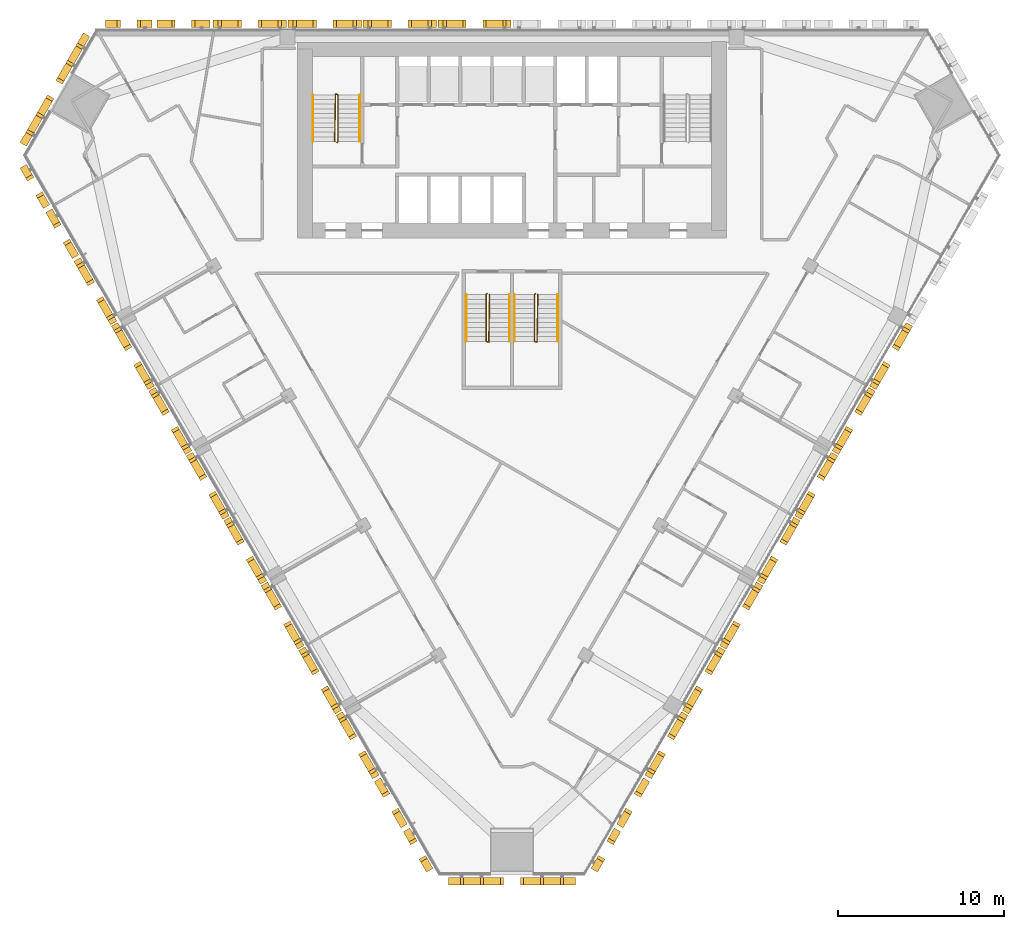
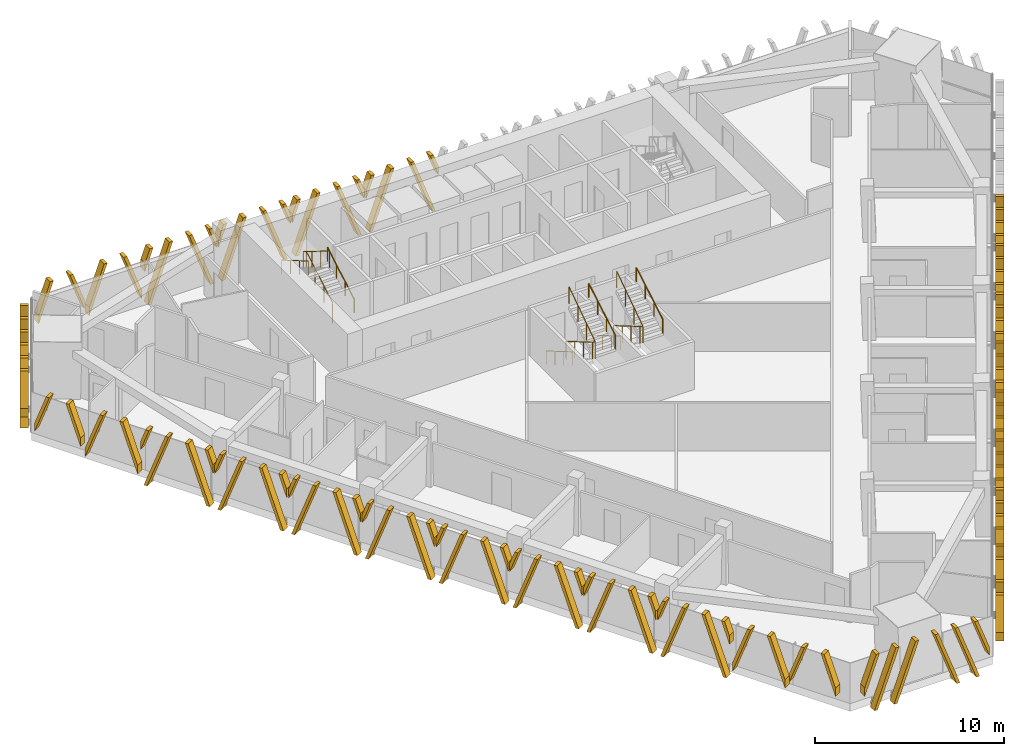
# One storey, part 14 of 16: 29 shading devices, 9 railings.
"""IFC4 building model written with IfcOpenShell, lengths in metres."""

from ifc_helpers import new_model, si_unit, direction, frame, origin, origin_2d, place, context, subcontext, project, spatial, polyline, circle, outline, extrude, source, transform, mapped, material, type_object, element, save


model = new_model("IFC4")

# Units and contexts
model_context = context("Model", 3, precision=1e-05, world=origin(), true_north=direction((0.0, 1.0)))
body_context = subcontext(model_context, "Body", "Model", "MODEL_VIEW")
ifc_project = project(units=[si_unit("LENGTHUNIT", "METRE"), si_unit("AREAUNIT", "SQUARE_METRE"), si_unit("VOLUMEUNIT", "CUBIC_METRE"), si_unit("PLANEANGLEUNIT", "RADIAN"), si_unit("MASSUNIT", "GRAM", prefix="KILO")], contexts=[model_context])

# Site, building, storey
site_placement = place(None, origin())
site = spatial("IfcSite", under=ifc_project, at=site_placement, CompositionType="ELEMENT")
building_placement = place(site_placement, origin())
building = spatial("IfcBuilding", under=site, at=building_placement, Name="Altiplano Prism Tower", CompositionType="ELEMENT")
storey_placement = place(building_placement, frame((0.0, 0.0, 88.199951171875)))
storey = spatial("IfcBuildingStorey", under=building, at=storey_placement, Name="L22", CompositionType="ELEMENT", Elevation=88.199951171875)

# Railings
ifc_material_1 = material(Name="Steel S355", Category="steel")
railing_type_1 = type_object("IfcRailingType", Name="Stair guard 1100", PredefinedType="GUARDRAIL", material=ifc_material_1)
railing_1_placement = place(storey_placement, frame((74.5, 98.25, 0.0)))
element("IfcRailing", 1, at=railing_1_placement, inside=storey, type_object=railing_type_1, Name="L22 ST1 stair guard 1", PredefinedType="GUARDRAIL", context=body_context, shape_type="SweptSolid", body=[
    extrude(circle(Radius=0.02392578125, at=origin_2d()), frame((0.0, 0.0, 1.076171875), z_axis=(0.280808744504, 0.280808744504, 0.917765164963), x_axis=(-0.707106781187, 0.707106781187, 0.0)), (0.0, 0.0, 1.0), 0.17822265625),
    extrude(circle(Radius=0.02392578125, at=origin_2d()), frame((0.050048828125, 0.050048828125, 1.23974609375), z_axis=(0.0, 0.863360870873, 0.504586966384), x_axis=(-1.0, 0.0, 0.0)), (0.0, 0.0, 1.0), 3.2431640625),
    extrude(circle(Radius=0.02392578125, at=origin_2d()), frame((0.050048828125, 2.85009765625, 2.8759765625), z_axis=(-0.949145278916, 0.314838433982, 0.0), x_axis=(-0.314838433982, -0.949145278916, 0.0)), (0.0, 0.0, 1.0), 0.158203125),
    extrude(circle(Radius=0.02392578125, at=origin_2d()), frame((-0.10009765625, 2.89990234375, 2.8759765625), z_axis=(-0.01477401265, -0.845377694409, 0.533964682676), x_axis=(0.999847325713, -0.01747355902, 0.0)), (0.0, 0.0, 1.0), 3.37109375),
    extrude(circle(Radius=0.02099609375, at=origin_2d()), origin(), (0.0, 0.0, 1.0), 1.052001953125),
    extrude(circle(Radius=0.02099609375, at=origin_2d()), frame((0.050048828125, 0.050048828125, 0.16357421875)), (0.0, 0.0, 1.0), 1.052001953125),
    extrude(circle(Radius=0.02099609375, at=origin_2d()), frame((0.050048828125, 0.9833984375, 0.708984375)), (0.0, 0.0, 1.0), 1.052001953125),
    extrude(circle(Radius=0.02099609375, at=origin_2d()), frame((0.050048828125, 1.916748046875, 1.254638671875)), (0.0, 0.0, 1.0), 1.052001953125),
    extrude(circle(Radius=0.02099609375, at=origin_2d()), frame((0.050048828125, 2.85009765625, 1.800048828125)), (0.0, 0.0, 1.0), 1.052001953125),
    extrude(circle(Radius=0.02099609375, at=origin_2d()), frame((-0.10009765625, 2.89990234375, 1.800048828125)), (0.0, 0.0, 1.0), 1.052001953125),
    extrude(circle(Radius=0.02099609375, at=origin_2d()), frame((-0.11669921875, 1.949951171875, 2.400146484375)), (0.0, 0.0, 1.0), 1.052001953125),
    extrude(circle(Radius=0.02099609375, at=origin_2d()), frame((-0.13330078125, 1.0, 3.0)), (0.0, 0.0, 1.0), 1.052001953125),
    extrude(circle(Radius=0.02099609375, at=origin_2d()), frame((-0.14990234375, 0.050048828125, 3.60009765625)), (0.0, 0.0, 1.0), 1.052001953125),
])
railing_2_placement = place(storey_placement, frame((83.5, 89.14990234375, 0.0)))
element("IfcRailing", 2, at=railing_2_placement, inside=storey, type_object=railing_type_1, Name="L22 ST3A stair guard 1", PredefinedType="GUARDRAIL", context=body_context, shape_type="SweptSolid", body=[
    extrude(circle(Radius=0.02392578125, at=origin_2d()), frame((0.0, 0.0, 1.076171875), z_axis=(-0.280916556609, -0.279546231943, 0.91811752648), x_axis=(0.705375805398, -0.708833529934, 0.0)), (0.0, 0.0, 1.0), 0.17822265625),
    extrude(circle(Radius=0.02392578125, at=origin_2d()), frame((-0.050048828125, -0.0498046875, 1.23974609375), z_axis=(0.0, -0.863360870873, 0.504586966384), x_axis=(1.0, 0.0, 0.0)), (0.0, 0.0, 1.0), 3.2431640625),
    extrude(circle(Radius=0.02392578125, at=origin_2d()), frame((-0.050048828125, -2.849853515625, 2.8759765625), z_axis=(0.948683298051, -0.316227766017, 0.0), x_axis=(0.316227766017, 0.948683298051, 0.0)), (0.0, 0.0, 1.0), 0.158203125),
    extrude(circle(Radius=0.02392578125, at=origin_2d()), frame((0.10009765625, -2.89990234375, 2.8759765625), z_axis=(0.014773108175, 0.84539835705, 0.533931993021), x_axis=(-0.999847351862, 0.017472062685, 0.0)), (0.0, 0.0, 1.0), 3.371337890625),
    extrude(circle(Radius=0.02099609375, at=origin_2d()), origin(), (0.0, 0.0, 1.0), 1.052001953125),
    extrude(circle(Radius=0.02099609375, at=origin_2d()), frame((-0.050048828125, -0.0498046875, 0.16357421875)), (0.0, 0.0, 1.0), 1.052001953125),
    extrude(circle(Radius=0.02099609375, at=origin_2d()), frame((-0.050048828125, -0.983154296875, 0.708984375)), (0.0, 0.0, 1.0), 1.052001953125),
    extrude(circle(Radius=0.02099609375, at=origin_2d()), frame((-0.050048828125, -1.91650390625, 1.254638671875)), (0.0, 0.0, 1.0), 1.052001953125),
    extrude(circle(Radius=0.02099609375, at=origin_2d()), frame((-0.050048828125, -2.849853515625, 1.800048828125)), (0.0, 0.0, 1.0), 1.052001953125),
    extrude(circle(Radius=0.02099609375, at=origin_2d()), frame((0.10009765625, -2.89990234375, 1.800048828125)), (0.0, 0.0, 1.0), 1.052001953125),
    extrude(circle(Radius=0.02099609375, at=origin_2d()), frame((0.11669921875, -1.949951171875, 2.400146484375)), (0.0, 0.0, 1.0), 1.052001953125),
    extrude(circle(Radius=0.02099609375, at=origin_2d()), frame((0.13330078125, -0.999755859375, 3.0)), (0.0, 0.0, 1.0), 1.052001953125),
    extrude(circle(Radius=0.02099609375, at=origin_2d()), frame((0.14990234375, -0.0498046875, 3.60009765625)), (0.0, 0.0, 1.0), 1.052001953125),
])
railing_3_placement = place(storey_placement, frame((86.39990234375, 89.14990234375, 0.0)))
element("IfcRailing", 3, at=railing_3_placement, inside=storey, type_object=railing_type_1, Name="L22 ST3B stair guard 1", PredefinedType="GUARDRAIL", context=body_context, shape_type="SweptSolid", body=[
    extrude(circle(Radius=0.02392578125, at=origin_2d()), frame((0.0, 0.0, 1.076171875), z_axis=(-0.279653641804, -0.279653641804, 0.918470294159), x_axis=(0.707106781187, -0.707106781187, 0.0)), (0.0, 0.0, 1.0), 0.177978515625),
    extrude(circle(Radius=0.02392578125, at=origin_2d()), frame((-0.0498046875, -0.0498046875, 1.23974609375), z_axis=(0.0, -0.863360870873, 0.504586966384), x_axis=(1.0, 0.0, 0.0)), (0.0, 0.0, 1.0), 3.2431640625),
    extrude(circle(Radius=0.02392578125, at=origin_2d()), frame((-0.0498046875, -2.849853515625, 2.8759765625), z_axis=(0.948528701346, -0.316691178788, 0.0), x_axis=(0.316691178788, 0.948528701346, 0.0)), (0.0, 0.0, 1.0), 0.157958984375),
    extrude(circle(Radius=0.02392578125, at=origin_2d()), frame((0.10009765625, -2.89990234375, 2.8759765625), z_axis=(0.014845509451, 0.845397450405, 0.533931420407), x_axis=(-0.999845851991, 0.017557683712, 0.0)), (0.0, 0.0, 1.0), 3.371337890625),
    extrude(circle(Radius=0.02099609375, at=origin_2d()), origin(), (0.0, 0.0, 1.0), 1.052001953125),
    extrude(circle(Radius=0.02099609375, at=origin_2d()), frame((-0.0498046875, -0.0498046875, 0.16357421875)), (0.0, 0.0, 1.0), 1.052001953125),
    extrude(circle(Radius=0.02099609375, at=origin_2d()), frame((-0.0498046875, -0.983154296875, 0.708984375)), (0.0, 0.0, 1.0), 1.052001953125),
    extrude(circle(Radius=0.02099609375, at=origin_2d()), frame((-0.0498046875, -1.91650390625, 1.254638671875)), (0.0, 0.0, 1.0), 1.052001953125),
    extrude(circle(Radius=0.02099609375, at=origin_2d()), frame((-0.0498046875, -2.849853515625, 1.800048828125)), (0.0, 0.0, 1.0), 1.052001953125),
    extrude(circle(Radius=0.02099609375, at=origin_2d()), frame((0.10009765625, -2.89990234375, 1.800048828125)), (0.0, 0.0, 1.0), 1.052001953125),
    extrude(circle(Radius=0.02099609375, at=origin_2d()), frame((0.11669921875, -1.949951171875, 2.400146484375)), (0.0, 0.0, 1.0), 1.052001953125),
    extrude(circle(Radius=0.02099609375, at=origin_2d()), frame((0.133544921875, -0.999755859375, 3.0)), (0.0, 0.0, 1.0), 1.052001953125),
    extrude(circle(Radius=0.02099609375, at=origin_2d()), frame((0.150146484375, -0.0498046875, 3.60009765625)), (0.0, 0.0, 1.0), 1.052001953125),
])
railing_type_2 = type_object("IfcRailingType", Name="Stair handrail 900", PredefinedType="HANDRAIL", material=ifc_material_1)
railing_4_placement = place(storey_placement, frame((75.85009765625, 98.300048828125, 0.16357421875)))
element("IfcRailing", 4, at=railing_4_placement, inside=storey, type_object=railing_type_2, Name="L22 ST1 stair handrail 1", PredefinedType="HANDRAIL", context=body_context, shape_type="SweptSolid", body=[
    extrude(circle(Radius=0.02392578125, at=origin_2d()), frame((0.0, 0.0, 0.8759765625), z_axis=(0.0, 0.863360870873, 0.504586966384), x_axis=(-1.0, 0.0, 0.0)), (0.0, 0.0, 1.0), 3.2431640625),
    extrude(circle(Radius=0.02099609375, at=origin_2d()), origin(), (0.0, 0.0, 1.0), 0.851806640625),
    extrude(circle(Radius=0.02099609375, at=origin_2d()), frame((0.0, 0.933349609375, 0.54541015625)), (0.0, 0.0, 1.0), 0.851806640625),
    extrude(circle(Radius=0.02099609375, at=origin_2d()), frame((0.0, 1.86669921875, 1.091064453125)), (0.0, 0.0, 1.0), 0.851806640625),
    extrude(circle(Radius=0.02099609375, at=origin_2d()), frame((0.0, 2.800048828125, 1.636474609375)), (0.0, 0.0, 1.0), 0.851806640625),
])
for number, where, name in (
    (5, (73.050048828125, 101.10009765625, 1.963623046875), "L22 ST1 stair handrail 2"),
    (6, (82.25, 89.10009765625, 0.16357421875), "L22 ST3A stair handrail 1"),
):
    element("IfcRailing", number, at=place(storey_placement, frame(where)), inside=storey, type_object=railing_type_2, Name=name, PredefinedType="HANDRAIL", context=body_context, shape_type="SweptSolid", body=[
        extrude(circle(Radius=0.02392578125, at=origin_2d()), frame((0.0, 0.0, 0.8759765625), z_axis=(0.0, -0.863360870873, 0.504586966384), x_axis=(1.0, 0.0, 0.0)), (0.0, 0.0, 1.0), 3.2431640625),
        extrude(circle(Radius=0.02099609375, at=origin_2d()), origin(), (0.0, 0.0, 1.0), 0.851806640625),
        extrude(circle(Radius=0.02099609375, at=origin_2d()), frame((0.0, -0.933349609375, 0.54541015625)), (0.0, 0.0, 1.0), 0.851806640625),
        extrude(circle(Radius=0.02099609375, at=origin_2d()), frame((0.0, -1.86669921875, 1.091064453125)), (0.0, 0.0, 1.0), 0.851806640625),
        extrude(circle(Radius=0.02099609375, at=origin_2d()), frame((0.0, -2.800048828125, 1.636474609375)), (0.0, 0.0, 1.0), 0.851806640625),
    ])
railing_5_placement = place(storey_placement, frame((84.85009765625, 86.300048828125, 1.963623046875)))
element("IfcRailing", 7, at=railing_5_placement, inside=storey, type_object=railing_type_2, Name="L22 ST3A stair handrail 2", PredefinedType="HANDRAIL", context=body_context, shape_type="SweptSolid", body=[
    extrude(circle(Radius=0.02392578125, at=origin_2d()), frame((0.0, 0.0, 0.8759765625), z_axis=(0.0, 0.863360870873, 0.504586966384), x_axis=(-1.0, 0.0, 0.0)), (0.0, 0.0, 1.0), 3.2431640625),
    extrude(circle(Radius=0.02099609375, at=origin_2d()), origin(), (0.0, 0.0, 1.0), 0.851806640625),
    extrude(circle(Radius=0.02099609375, at=origin_2d()), frame((0.0, 0.933349609375, 0.54541015625)), (0.0, 0.0, 1.0), 0.851806640625),
    extrude(circle(Radius=0.02099609375, at=origin_2d()), frame((0.0, 1.86669921875, 1.091064453125)), (0.0, 0.0, 1.0), 0.851806640625),
    extrude(circle(Radius=0.02099609375, at=origin_2d()), frame((0.0, 2.800048828125, 1.636474609375)), (0.0, 0.0, 1.0), 0.851806640625),
])
railing_6_placement = place(storey_placement, frame((85.14990234375, 89.10009765625, 0.16357421875)))
element("IfcRailing", 8, at=railing_6_placement, inside=storey, type_object=railing_type_2, Name="L22 ST3B stair handrail 1", PredefinedType="HANDRAIL", context=body_context, shape_type="SweptSolid", body=[
    extrude(circle(Radius=0.02392578125, at=origin_2d()), frame((0.0, 0.0, 0.8759765625), z_axis=(0.0, -0.863360870873, 0.504586966384), x_axis=(1.0, 0.0, 0.0)), (0.0, 0.0, 1.0), 3.2431640625),
    extrude(circle(Radius=0.02099609375, at=origin_2d()), origin(), (0.0, 0.0, 1.0), 0.851806640625),
    extrude(circle(Radius=0.02099609375, at=origin_2d()), frame((0.0, -0.933349609375, 0.54541015625)), (0.0, 0.0, 1.0), 0.851806640625),
    extrude(circle(Radius=0.02099609375, at=origin_2d()), frame((0.0, -1.86669921875, 1.091064453125)), (0.0, 0.0, 1.0), 0.851806640625),
    extrude(circle(Radius=0.02099609375, at=origin_2d()), frame((0.0, -2.800048828125, 1.636474609375)), (0.0, 0.0, 1.0), 0.851806640625),
])
railing_7_placement = place(storey_placement, frame((87.75, 86.300048828125, 1.963623046875)))
element("IfcRailing", 9, at=railing_7_placement, inside=storey, type_object=railing_type_2, Name="L22 ST3B stair handrail 2", PredefinedType="HANDRAIL", context=body_context, shape_type="SweptSolid", body=[
    extrude(circle(Radius=0.02392578125, at=origin_2d()), frame((0.0, 0.0, 0.8759765625), z_axis=(0.0, 0.863360870873, 0.504586966384), x_axis=(-1.0, 0.0, 0.0)), (0.0, 0.0, 1.0), 3.2431640625),
    extrude(circle(Radius=0.02099609375, at=origin_2d()), origin(), (0.0, 0.0, 1.0), 0.851806640625),
    extrude(circle(Radius=0.02099609375, at=origin_2d()), frame((0.0, 0.933349609375, 0.54541015625)), (0.0, 0.0, 1.0), 0.851806640625),
    extrude(circle(Radius=0.02099609375, at=origin_2d()), frame((0.0, 1.86669921875, 1.091064453125)), (0.0, 0.0, 1.0), 0.851806640625),
    extrude(circle(Radius=0.02099609375, at=origin_2d()), frame((0.0, 2.800048828125, 1.636474609375)), (0.0, 0.0, 1.0), 0.851806640625),
])

# Shading devices
ifc_material_2 = material(Name="Warm limestone cast stone", Category="masonry")
shading_device_type_1 = type_object("IfcShadingDeviceType", Name="Stone fin panel, narrow closing bay", PredefinedType="USERDEFINED", material=ifc_material_2)
shared_shape_1 = source(origin(), body_context, "Body", "SweptSolid", [
    extrude(outline(polyline([(-1.60009765625, 0.577880859375), (-0.5, 3.60009765625), (-0.699951171875, 3.60009765625), (-1.60009765625, 1.127197265625), (-1.60009765625, 0.577880859375)])), frame((0.0, -0.14990234375, 0.0), z_axis=(0.0, -1.0, 0.0), x_axis=(1.0, 0.0, 0.0)), (0.0, 0.0, 1.0), 0.4501953125),
    extrude(outline(polyline([(1.60009765625, 1.127197265625), (0.699951171875, 3.60009765625), (0.5, 3.60009765625), (1.60009765625, 0.577880859375), (1.60009765625, 1.127197265625)])), frame((0.0, -0.14990234375, 0.0), z_axis=(0.0, -1.0, 0.0), x_axis=(1.0, 0.0, 0.0)), (0.0, 0.0, 1.0), 0.4501953125),
])
shading_device_1_placement = place(storey_placement, origin())
element("IfcShadingDevice", 10, at=shading_device_1_placement, inside=storey, type_object=shading_device_type_1, Name="Fin L22 north face 11", ObjectType="FIN", PredefinedType="USERDEFINED", context=body_context, shape_type="MappedRepresentation", body=[
    mapped(shared_shape_1, transform((65.259521484375, 105.0, -0.5), x_axis=(-1.0, 0.0, 0.0), y_axis=(0.0, -1.0, 0.0), z_axis=(0.0, 0.0, 1.0))),
])
shading_device_2_placement = place(storey_placement, origin())
element("IfcShadingDevice", 11, at=shading_device_2_placement, inside=storey, type_object=shading_device_type_1, Name="Fin L22 south-west face 2", ObjectType="FIN", PredefinedType="USERDEFINED", context=body_context, shape_type="MappedRepresentation", body=[
    mapped(shared_shape_1, transform((58.302978515625, 92.950927734375, -0.5), x_axis=(0.500000010005, -0.866025398008, 0.0), y_axis=(0.866025398008, 0.500000010005, 0.0), z_axis=(0.0, 0.0, 1.0))),
])
shading_device_3_placement = place(storey_placement, origin())
element("IfcShadingDevice", 12, at=shading_device_3_placement, inside=storey, type_object=shading_device_type_1, Name="Fin L22 south-west face 11", ObjectType="FIN", PredefinedType="USERDEFINED", context=body_context, shape_type="MappedRepresentation", body=[
    mapped(shared_shape_1, transform((78.04345703125, 58.759521484375, -0.5), x_axis=(0.500000010005, -0.866025398008, 0.0), y_axis=(0.866025398008, 0.500000010005, 0.0), z_axis=(0.0, 0.0, 1.0))),
])
shading_device_4_placement = place(storey_placement, origin())
element("IfcShadingDevice", 13, at=shading_device_4_placement, inside=storey, type_object=shading_device_type_1, Name="Fin L22 south-east face 2", ObjectType="FIN", PredefinedType="USERDEFINED", context=body_context, shape_type="MappedRepresentation", body=[
    mapped(shared_shape_1, transform((91.95654296875, 58.759521484375, -0.5), x_axis=(0.500000010005, 0.866025398008, 0.0), y_axis=(-0.866025398008, 0.500000010005, 0.0), z_axis=(0.0, 0.0, 1.0))),
])
shading_device_type_2 = type_object("IfcShadingDeviceType", Name="Stone fin panel, standard unit", PredefinedType="USERDEFINED", material=ifc_material_2)
shared_shape_2 = source(origin(), body_context, "Body", "SweptSolid", [
    extrude(outline(polyline([(-2.199951171875, 2.226318359375), (-1.699951171875, 3.60009765625), (-1.89990234375, 3.60009765625), (-2.199951171875, 2.77587890625), (-2.199951171875, 2.226318359375)])), frame((0.0, -0.14990234375, 0.0), z_axis=(0.0, -1.0, 0.0), x_axis=(1.0, 0.0, 0.0)), (0.0, 0.0, 1.0), 0.4501953125),
    extrude(outline(polyline([(-2.01025390625, 0.0), (-1.810302734375, 0.0), (-0.5, 3.60009765625), (-0.699951171875, 3.60009765625), (-2.01025390625, 0.0)])), frame((0.0, -0.14990234375, 0.0), z_axis=(0.0, -1.0, 0.0), x_axis=(1.0, 0.0, 0.0)), (0.0, 0.0, 1.0), 0.4501953125),
    extrude(outline(polyline([(1.810302734375, 0.0), (2.01025390625, 0.0), (0.699951171875, 3.60009765625), (0.5, 3.60009765625), (1.810302734375, 0.0)])), frame((0.0, -0.14990234375, 0.0), z_axis=(0.0, -1.0, 0.0), x_axis=(1.0, 0.0, 0.0)), (0.0, 0.0, 1.0), 0.4501953125),
    extrude(outline(polyline([(2.199951171875, 2.77587890625), (1.89990234375, 3.60009765625), (1.699951171875, 3.60009765625), (2.199951171875, 2.226318359375), (2.199951171875, 2.77587890625)])), frame((0.0, -0.14990234375, 0.0), z_axis=(0.0, -1.0, 0.0), x_axis=(1.0, 0.0, 0.0)), (0.0, 0.0, 1.0), 0.4501953125),
])
shading_device_5_placement = place(storey_placement, origin())
element("IfcShadingDevice", 14, at=shading_device_5_placement, inside=storey, type_object=shading_device_type_2, Name="Fin L22 north face 7", ObjectType="FIN", PredefinedType="USERDEFINED", context=body_context, shape_type="MappedRepresentation", body=[
    mapped(shared_shape_2, transform((82.75, 105.0, -0.5), x_axis=(-1.0, 0.0, 0.0), y_axis=(0.0, -1.0, 0.0), z_axis=(0.0, 0.0, 1.0))),
])
shading_device_6_placement = place(storey_placement, origin())
element("IfcShadingDevice", 15, at=shading_device_6_placement, inside=storey, type_object=shading_device_type_2, Name="Fin L22 north face 8", ObjectType="FIN", PredefinedType="USERDEFINED", context=body_context, shape_type="MappedRepresentation", body=[
    mapped(shared_shape_2, transform((78.25, 105.0, -0.5), x_axis=(-1.0, 0.0, 0.0), y_axis=(0.0, -1.0, 0.0), z_axis=(0.0, 0.0, 1.0))),
])
shading_device_7_placement = place(storey_placement, origin())
element("IfcShadingDevice", 16, at=shading_device_7_placement, inside=storey, type_object=shading_device_type_2, Name="Fin L22 north face 9", ObjectType="FIN", PredefinedType="USERDEFINED", context=body_context, shape_type="MappedRepresentation", body=[
    mapped(shared_shape_2, transform((73.75, 105.0, -0.5), x_axis=(-1.0, 0.0, 0.0), y_axis=(0.0, -1.0, 0.0), z_axis=(0.0, 0.0, 1.0))),
])
shading_device_8_placement = place(storey_placement, origin())
element("IfcShadingDevice", 17, at=shading_device_8_placement, inside=storey, type_object=shading_device_type_2, Name="Fin L22 north face 10", ObjectType="FIN", PredefinedType="USERDEFINED", context=body_context, shape_type="MappedRepresentation", body=[
    mapped(shared_shape_2, transform((69.25, 105.0, -0.5), x_axis=(-1.0, 0.0, 0.0), y_axis=(0.0, -1.0, 0.0), z_axis=(0.0, 0.0, 1.0))),
])
shading_device_9_placement = place(storey_placement, origin())
element("IfcShadingDevice", 18, at=shading_device_9_placement, inside=storey, type_object=shading_device_type_2, Name="Fin L22 south-west face 3", ObjectType="FIN", PredefinedType="USERDEFINED", context=body_context, shape_type="MappedRepresentation", body=[
    mapped(shared_shape_2, transform((60.29833984375, 89.4951171875, -0.5), x_axis=(0.500000010005, -0.866025398008, 0.0), y_axis=(0.866025398008, 0.500000010005, 0.0), z_axis=(0.0, 0.0, 1.0))),
])
shading_device_10_placement = place(storey_placement, origin())
element("IfcShadingDevice", 19, at=shading_device_10_placement, inside=storey, type_object=shading_device_type_2, Name="Fin L22 south-west face 4", ObjectType="FIN", PredefinedType="USERDEFINED", context=body_context, shape_type="MappedRepresentation", body=[
    mapped(shared_shape_2, transform((62.54833984375, 85.59814453125, -0.5), x_axis=(0.500000010005, -0.866025398008, 0.0), y_axis=(0.866025398008, 0.500000010005, 0.0), z_axis=(0.0, 0.0, 1.0))),
])
shading_device_11_placement = place(storey_placement, origin())
element("IfcShadingDevice", 20, at=shading_device_11_placement, inside=storey, type_object=shading_device_type_2, Name="Fin L22 south-west face 5", ObjectType="FIN", PredefinedType="USERDEFINED", context=body_context, shape_type="MappedRepresentation", body=[
    mapped(shared_shape_2, transform((64.79833984375, 81.700927734375, -0.5), x_axis=(0.500000010005, -0.866025398008, 0.0), y_axis=(0.866025398008, 0.500000010005, 0.0), z_axis=(0.0, 0.0, 1.0))),
])
shading_device_12_placement = place(storey_placement, origin())
element("IfcShadingDevice", 21, at=shading_device_12_placement, inside=storey, type_object=shading_device_type_2, Name="Fin L22 south-west face 6", ObjectType="FIN", PredefinedType="USERDEFINED", context=body_context, shape_type="MappedRepresentation", body=[
    mapped(shared_shape_2, transform((67.04833984375, 77.803955078125, -0.5), x_axis=(0.500000010005, -0.866025398008, 0.0), y_axis=(0.866025398008, 0.500000010005, 0.0), z_axis=(0.0, 0.0, 1.0))),
])
shading_device_13_placement = place(storey_placement, origin())
element("IfcShadingDevice", 22, at=shading_device_13_placement, inside=storey, type_object=shading_device_type_2, Name="Fin L22 south-west face 7", ObjectType="FIN", PredefinedType="USERDEFINED", context=body_context, shape_type="MappedRepresentation", body=[
    mapped(shared_shape_2, transform((69.29833984375, 73.90673828125, -0.5), x_axis=(0.500000010005, -0.866025398008, 0.0), y_axis=(0.866025398008, 0.500000010005, 0.0), z_axis=(0.0, 0.0, 1.0))),
])
shading_device_14_placement = place(storey_placement, origin())
element("IfcShadingDevice", 23, at=shading_device_14_placement, inside=storey, type_object=shading_device_type_2, Name="Fin L22 south-west face 8", ObjectType="FIN", PredefinedType="USERDEFINED", context=body_context, shape_type="MappedRepresentation", body=[
    mapped(shared_shape_2, transform((71.54833984375, 70.009521484375, -0.5), x_axis=(0.500000010005, -0.866025398008, 0.0), y_axis=(0.866025398008, 0.500000010005, 0.0), z_axis=(0.0, 0.0, 1.0))),
])
shading_device_15_placement = place(storey_placement, origin())
element("IfcShadingDevice", 24, at=shading_device_15_placement, inside=storey, type_object=shading_device_type_2, Name="Fin L22 south-west face 9", ObjectType="FIN", PredefinedType="USERDEFINED", context=body_context, shape_type="MappedRepresentation", body=[
    mapped(shared_shape_2, transform((73.79833984375, 66.112548828125, -0.5), x_axis=(0.500000010005, -0.866025398008, 0.0), y_axis=(0.866025398008, 0.500000010005, 0.0), z_axis=(0.0, 0.0, 1.0))),
])
shading_device_16_placement = place(storey_placement, origin())
element("IfcShadingDevice", 25, at=shading_device_16_placement, inside=storey, type_object=shading_device_type_2, Name="Fin L22 south-west face 10", ObjectType="FIN", PredefinedType="USERDEFINED", context=body_context, shape_type="MappedRepresentation", body=[
    mapped(shared_shape_2, transform((76.04833984375, 62.21533203125, -0.5), x_axis=(0.500000010005, -0.866025398008, 0.0), y_axis=(0.866025398008, 0.500000010005, 0.0), z_axis=(0.0, 0.0, 1.0))),
])
shading_device_17_placement = place(storey_placement, origin())
element("IfcShadingDevice", 26, at=shading_device_17_placement, inside=storey, type_object=shading_device_type_2, Name="Fin L22 south-east face 3", ObjectType="FIN", PredefinedType="USERDEFINED", context=body_context, shape_type="MappedRepresentation", body=[
    mapped(shared_shape_2, transform((93.95166015625, 62.21533203125, -0.5), x_axis=(0.500000010005, 0.866025398008, 0.0), y_axis=(-0.866025398008, 0.500000010005, 0.0), z_axis=(0.0, 0.0, 1.0))),
])
shading_device_18_placement = place(storey_placement, origin())
element("IfcShadingDevice", 27, at=shading_device_18_placement, inside=storey, type_object=shading_device_type_2, Name="Fin L22 south-east face 4", ObjectType="FIN", PredefinedType="USERDEFINED", context=body_context, shape_type="MappedRepresentation", body=[
    mapped(shared_shape_2, transform((96.20166015625, 66.112548828125, -0.5), x_axis=(0.500000010005, 0.866025398008, 0.0), y_axis=(-0.866025398008, 0.500000010005, 0.0), z_axis=(0.0, 0.0, 1.0))),
])
shading_device_19_placement = place(storey_placement, origin())
element("IfcShadingDevice", 28, at=shading_device_19_placement, inside=storey, type_object=shading_device_type_2, Name="Fin L22 south-east face 5", ObjectType="FIN", PredefinedType="USERDEFINED", context=body_context, shape_type="MappedRepresentation", body=[
    mapped(shared_shape_2, transform((98.45166015625, 70.009521484375, -0.5), x_axis=(0.500000010005, 0.866025398008, 0.0), y_axis=(-0.866025398008, 0.500000010005, 0.0), z_axis=(0.0, 0.0, 1.0))),
])
shading_device_20_placement = place(storey_placement, origin())
element("IfcShadingDevice", 29, at=shading_device_20_placement, inside=storey, type_object=shading_device_type_2, Name="Fin L22 south-east face 6", ObjectType="FIN", PredefinedType="USERDEFINED", context=body_context, shape_type="MappedRepresentation", body=[
    mapped(shared_shape_2, transform((100.70166015625, 73.90673828125, -0.5), x_axis=(0.500000010005, 0.866025398008, 0.0), y_axis=(-0.866025398008, 0.500000010005, 0.0), z_axis=(0.0, 0.0, 1.0))),
])
shading_device_21_placement = place(storey_placement, origin())
element("IfcShadingDevice", 30, at=shading_device_21_placement, inside=storey, type_object=shading_device_type_2, Name="Fin L22 south-east face 7", ObjectType="FIN", PredefinedType="USERDEFINED", context=body_context, shape_type="MappedRepresentation", body=[
    mapped(shared_shape_2, transform((102.95166015625, 77.803955078125, -0.5), x_axis=(0.500000010005, 0.866025398008, 0.0), y_axis=(-0.866025398008, 0.500000010005, 0.0), z_axis=(0.0, 0.0, 1.0))),
])
shading_device_22_placement = place(storey_placement, origin())
element("IfcShadingDevice", 31, at=shading_device_22_placement, inside=storey, type_object=shading_device_type_2, Name="Fin L22 south-east face 8", ObjectType="FIN", PredefinedType="USERDEFINED", context=body_context, shape_type="MappedRepresentation", body=[
    mapped(shared_shape_2, transform((105.20166015625, 81.700927734375, -0.5), x_axis=(0.500000010005, 0.866025398008, 0.0), y_axis=(-0.866025398008, 0.500000010005, 0.0), z_axis=(0.0, 0.0, 1.0))),
])
shading_device_23_placement = place(storey_placement, origin())
element("IfcShadingDevice", 32, at=shading_device_23_placement, inside=storey, type_object=shading_device_type_2, Name="Fin L22 south-east face 9", ObjectType="FIN", PredefinedType="USERDEFINED", context=body_context, shape_type="MappedRepresentation", body=[
    mapped(shared_shape_2, transform((107.45166015625, 85.59814453125, -0.5), x_axis=(0.500000010005, 0.866025398008, 0.0), y_axis=(-0.866025398008, 0.500000010005, 0.0), z_axis=(0.0, 0.0, 1.0))),
])
shared_shape_3 = source(origin(), body_context, "Body", "SweptSolid", [
    extrude(outline(polyline([(-1.39990234375, 1.127197265625), (-0.5, 3.60009765625), (-0.699951171875, 3.60009765625), (-1.39990234375, 1.6767578125), (-1.39990234375, 1.127197265625)])), frame((0.0, -0.14990234375, 0.0), z_axis=(0.0, -1.0, 0.0), x_axis=(1.0, 0.0, 0.0)), (0.0, 0.0, 1.0), 0.4501953125),
    extrude(outline(polyline([(1.39990234375, 1.6767578125), (0.699951171875, 3.60009765625), (0.5, 3.60009765625), (1.39990234375, 1.127197265625), (1.39990234375, 1.6767578125)])), frame((0.0, -0.14990234375, 0.0), z_axis=(0.0, -1.0, 0.0), x_axis=(1.0, 0.0, 0.0)), (0.0, 0.0, 1.0), 0.4501953125),
])
shading_device_24_placement = place(storey_placement, origin())
element("IfcShadingDevice", 33, at=shading_device_24_placement, inside=storey, type_object=shading_device_type_1, Name="Fin L22 north face 12", ObjectType="FIN", PredefinedType="USERDEFINED", context=body_context, shape_type="MappedRepresentation", body=[
    mapped(shared_shape_3, transform((61.978515625, 105.0, -0.5), x_axis=(-1.0, 0.0, 0.0), y_axis=(0.0, -1.0, 0.0), z_axis=(0.0, 0.0, 1.0))),
])
shading_device_25_placement = place(storey_placement, origin())
element("IfcShadingDevice", 34, at=shading_device_25_placement, inside=storey, type_object=shading_device_type_1, Name="Fin L22 south-west face 1", ObjectType="FIN", PredefinedType="USERDEFINED", context=body_context, shape_type="MappedRepresentation", body=[
    mapped(shared_shape_3, transform((56.66259765625, 95.79248046875, -0.5), x_axis=(0.500000010005, -0.866025398008, 0.0), y_axis=(0.866025398008, 0.500000010005, 0.0), z_axis=(0.0, 0.0, 1.0))),
])
shading_device_26_placement = place(storey_placement, origin())
element("IfcShadingDevice", 35, at=shading_device_26_placement, inside=storey, type_object=shading_device_type_1, Name="Fin L22 south-west face 12", ObjectType="FIN", PredefinedType="USERDEFINED", context=body_context, shape_type="MappedRepresentation", body=[
    mapped(shared_shape_3, transform((79.68408203125, 55.918212890625, -0.5), x_axis=(0.500000010005, -0.866025398008, 0.0), y_axis=(0.866025398008, 0.500000010005, 0.0), z_axis=(0.0, 0.0, 1.0))),
])
shading_device_27_placement = place(storey_placement, origin())
element("IfcShadingDevice", 36, at=shading_device_27_placement, inside=storey, type_object=shading_device_type_1, Name="Fin L22 south-east face 1", ObjectType="FIN", PredefinedType="USERDEFINED", context=body_context, shape_type="MappedRepresentation", body=[
    mapped(shared_shape_3, transform((90.31591796875, 55.918212890625, -0.5), x_axis=(0.500000010005, 0.866025398008, 0.0), y_axis=(-0.866025398008, 0.500000010005, 0.0), z_axis=(0.0, 0.0, 1.0))),
])
shading_device_type_3 = type_object("IfcShadingDeviceType", Name="Stone fin panel, chamfer unit", PredefinedType="USERDEFINED", material=ifc_material_2)
shared_shape_4 = source(origin(), body_context, "Body", "SweptSolid", [
    extrude(outline(polyline([(-3.800048828125, 1.127197265625), (-2.89990234375, 3.60009765625), (-3.10009765625, 3.60009765625), (-3.800048828125, 1.6767578125), (-3.800048828125, 1.127197265625)])), frame((0.0, -0.14990234375, 0.0), z_axis=(0.0, -1.0, 0.0), x_axis=(1.0, 0.0, 0.0)), (0.0, 0.0, 1.0), 0.4501953125),
    extrude(outline(polyline([(-3.210205078125, 0.0), (-3.01025390625, 0.0), (-1.699951171875, 3.60009765625), (-1.89990234375, 3.60009765625), (-3.210205078125, 0.0)])), frame((0.0, -0.14990234375, 0.0), z_axis=(0.0, -1.0, 0.0), x_axis=(1.0, 0.0, 0.0)), (0.0, 0.0, 1.0), 0.4501953125),
    extrude(outline(polyline([(-2.01025390625, 0.0), (-1.810302734375, 0.0), (-0.5, 3.60009765625), (-0.699951171875, 3.60009765625), (-2.01025390625, 0.0)])), frame((0.0, -0.14990234375, 0.0), z_axis=(0.0, -1.0, 0.0), x_axis=(1.0, 0.0, 0.0)), (0.0, 0.0, 1.0), 0.4501953125),
    extrude(outline(polyline([(1.810302734375, 0.0), (2.01025390625, 0.0), (0.699951171875, 3.60009765625), (0.5, 3.60009765625), (1.810302734375, 0.0)])), frame((0.0, -0.14990234375, 0.0), z_axis=(0.0, -1.0, 0.0), x_axis=(1.0, 0.0, 0.0)), (0.0, 0.0, 1.0), 0.4501953125),
    extrude(outline(polyline([(3.01025390625, 0.0), (3.210205078125, 0.0), (1.89990234375, 3.60009765625), (1.699951171875, 3.60009765625), (3.01025390625, 0.0)])), frame((0.0, -0.14990234375, 0.0), z_axis=(0.0, -1.0, 0.0), x_axis=(1.0, 0.0, 0.0)), (0.0, 0.0, 1.0), 0.4501953125),
    extrude(outline(polyline([(3.800048828125, 1.6767578125), (3.10009765625, 3.60009765625), (2.89990234375, 3.60009765625), (3.800048828125, 1.127197265625), (3.800048828125, 1.6767578125)])), frame((0.0, -0.14990234375, 0.0), z_axis=(0.0, -1.0, 0.0), x_axis=(1.0, 0.0, 0.0)), (0.0, 0.0, 1.0), 0.4501953125),
])
shading_device_28_placement = place(storey_placement, origin())
element("IfcShadingDevice", 37, at=shading_device_28_placement, inside=storey, type_object=shading_device_type_3, Name="Fin L22 north-west chamfer 1", ObjectType="FIN", PredefinedType="USERDEFINED", context=body_context, shape_type="MappedRepresentation", body=[
    mapped(shared_shape_4, transform((57.865234375, 101.236572265625, -0.5), x_axis=(-0.500000022786, -0.866025390629, 0.0), y_axis=(0.866025390629, -0.500000022786, 0.0), z_axis=(0.0, 0.0, 1.0))),
])
shading_device_29_placement = place(storey_placement, origin())
element("IfcShadingDevice", 38, at=shading_device_29_placement, inside=storey, type_object=shading_device_type_3, Name="Fin L22 south chamfer 1", ObjectType="FIN", PredefinedType="USERDEFINED", context=body_context, shape_type="MappedRepresentation", body=[
    mapped(shared_shape_4, transform((85.0, 54.237548828125, -0.5), x_axis=(1.0, 0.0, 0.0), y_axis=(0.0, 1.0, 0.0), z_axis=(0.0, 0.0, 1.0))),
])

save(model, "model.ifc")
